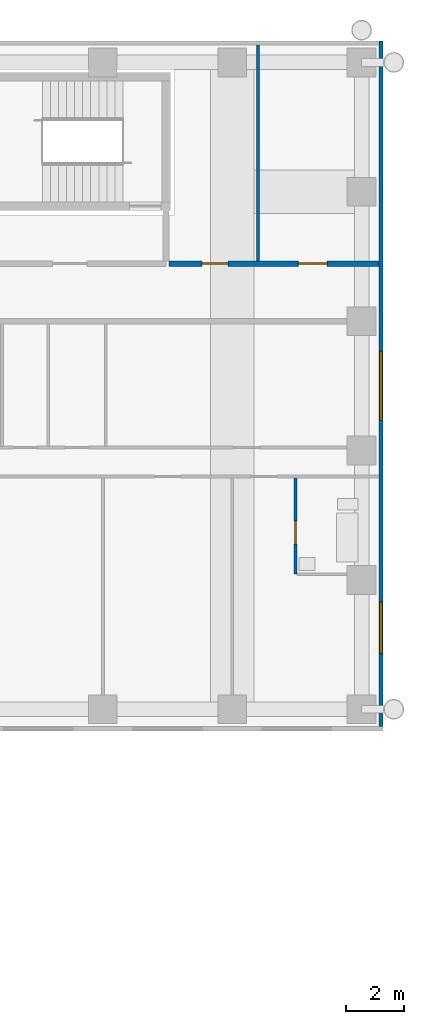
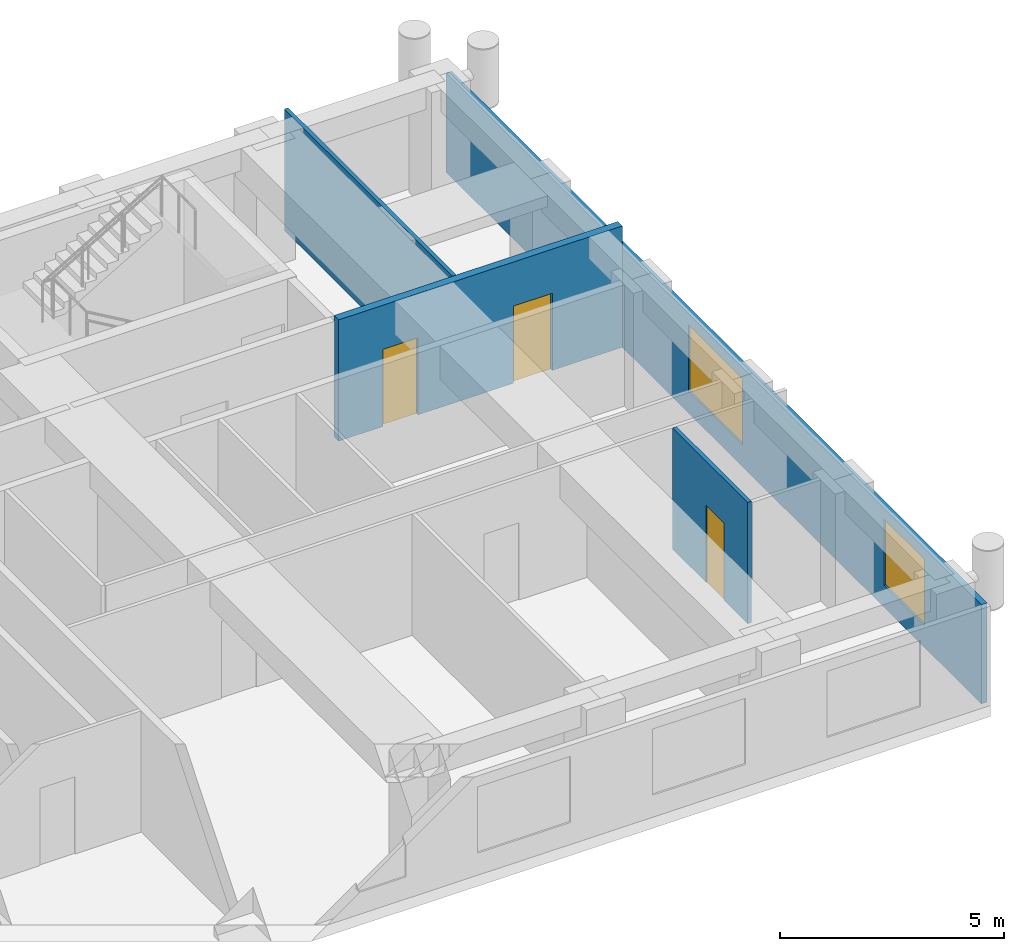
# One storey, part 12 of 15: 4 walls, 3 doors, 2 windows, 5 openings.
"""IFC4 building model written with IfcOpenShell, lengths in metres."""

from ifc_helpers import new_model, si_unit, direction, frame, frame_2d, origin, place, context, subcontext, project, spatial, rectangle, extrude, material, layer, layer_set, type_object, element, fill, save


model = new_model("IFC4")

# Units and contexts
model_context = context("Model", 3, precision=1e-05, world=origin(), true_north=direction((0.0, 1.0)))
body_context = subcontext(model_context, "Body", "Model", "MODEL_VIEW")
ifc_project = project(units=[si_unit("LENGTHUNIT", "METRE"), si_unit("AREAUNIT", "SQUARE_METRE"), si_unit("VOLUMEUNIT", "CUBIC_METRE"), si_unit("PLANEANGLEUNIT", "RADIAN"), si_unit("MASSUNIT", "GRAM", prefix="KILO")], contexts=[model_context])

# Site, building, storey
site_placement = place(None, origin())
site = spatial("IfcSite", under=ifc_project, at=site_placement, CompositionType="ELEMENT")
building_placement = place(site_placement, origin())
building = spatial("IfcBuilding", under=site, at=building_placement, Name="Firuza Court", CompositionType="ELEMENT")
storey_placement = place(building_placement, frame((0.0, 0.0, 137.60009765625)))
storey = spatial("IfcBuildingStorey", under=building, at=storey_placement, Name="L34", CompositionType="ELEMENT", Elevation=137.60009765625)

# Wall, opening, door
ifc_material_1 = material(Name="Moisture-resistant gypsum board partition")
ifc_layer_1 = layer(ifc_material_1, 0.10009765625)
ifc_layer_set_1 = layer_set([ifc_layer_1], Name="Moisture-resistant gypsum board partition")
wall_type_1 = type_object("IfcWallType", Name="Bathroom partition 100", PredefinedType="PLUMBINGWALL", material=ifc_layer_set_1)
wall_1_placement = place(storey_placement, frame((65.199951171875, 40.699951171875, 0.0), z_axis=(0.0, 0.0, 1.0), x_axis=(0.0, 1.0, 0.0)))
wall_1 = element("IfcWall", 1, at=wall_1_placement, inside=storey, type_object=wall_type_1, Name="Bathroom partition 100 L34", PredefinedType="PLUMBINGWALL", context=body_context, shape_type="SweptSolid", body=[
    extrude(rectangle(XDim=3.35009765625, YDim=0.10009765625, at=frame_2d((1.675048828125, 0.0))), origin(), (0.0, 0.0, 1.0), 3.2998046875),
])
opening_1_placement = place(wall_1_placement, frame((1.050048828125, 0.0, 0.0)))
opening_1 = element("IfcOpeningElement", 2, at=opening_1_placement, cuts=wall_1, Name="Opening D34045", PredefinedType="OPENING", context=body_context, shape_type="SweptSolid", body=[
    extrude(rectangle(XDim=0.800048828125, YDim=2.10009765625, at=frame_2d((0.39990234375, 1.050048828125))), frame((0.0, 0.06201171875, 0.0), z_axis=(0.0, -1.0, 0.0), x_axis=(1.0, 0.0, 0.0)), (0.0, 0.0, 1.0), 0.1240234375),
])
ifc_material_2 = material(Name="Timber door leaf in hardwood frame", Category="wood")
door_type_1 = type_object("IfcDoorType", Name="Bathroom door 800", OperationType="SINGLE_SWING_LEFT", PredefinedType="DOOR", material=ifc_material_2)
door_1_placement = place(opening_1_placement, frame((0.800048828125, 0.0, 0.0), z_axis=(0.0, 0.0, 1.0), x_axis=(-1.0, 0.0, 0.0)))
door_1 = element("IfcDoor", 3, at=door_1_placement, inside=storey, type_object=door_type_1, Name="En-suite door", OperationType="SINGLE_SWING_RIGHT", OverallHeight=2.10009765625, OverallWidth=0.800048828125, PredefinedType="DOOR", context=body_context, shape_type="SweptSolid", body=[
    extrude(rectangle(XDim=0.800048828125, YDim=2.10009765625, at=frame_2d((0.39990234375, 1.050048828125))), frame((0.0, 0.02490234375, 0.0), z_axis=(0.0, -1.0, 0.0), x_axis=(1.0, 0.0, 0.0)), (0.0, 0.0, 1.0), 0.050048828125),
])
fill(opening_1, door_1)

# Wall, openings, doors
ifc_material_3 = material(Name="Blockwork, plastered both sides", Category="masonry")
ifc_layer_2 = layer(ifc_material_3, 0.199951171875)
ifc_layer_set_2 = layer_set([ifc_layer_2], Name="Blockwork, plastered both sides")
wall_type_2 = type_object("IfcWallType", Name="Corridor wall 200", PredefinedType="PARTITIONING", material=ifc_layer_set_2)
wall_2_placement = place(storey_placement, frame((60.800048828125, 51.5, 0.0), z_axis=(0.0, 0.0, 1.0), x_axis=(1.0, 0.0, 0.0)))
wall_2 = element("IfcWall", 4, at=wall_2_placement, inside=storey, type_object=wall_type_2, Name="Corridor wall 200 L34", PredefinedType="PARTITIONING", context=body_context, shape_type="SweptSolid", body=[
    extrude(rectangle(XDim=7.300048828125, YDim=0.199951171875, at=frame_2d((3.64990234375, 0.0))), origin(), (0.0, 0.0, 1.0), 3.2998046875),
])
opening_2_placement = place(wall_2_placement, frame((1.14990234375, 0.0, 0.0)))
opening_2 = element("IfcOpeningElement", 5, at=opening_2_placement, cuts=wall_2, Name="Opening D34070", PredefinedType="OPENING", context=body_context, shape_type="SweptSolid", body=[
    extrude(rectangle(XDim=0.89990234375, YDim=2.10009765625, at=frame_2d((0.449951171875, 1.050048828125))), frame((0.0, 0.11181640625, 0.0), z_axis=(0.0, -1.0, 0.0), x_axis=(1.0, 0.0, 0.0)), (0.0, 0.0, 1.0), 0.223876953125),
])
opening_3_placement = place(wall_2_placement, frame((4.5, 0.0, 0.0)))
opening_3 = element("IfcOpeningElement", 6, at=opening_3_placement, cuts=wall_2, Name="Opening D34071", PredefinedType="OPENING", context=body_context, shape_type="SweptSolid", body=[
    extrude(rectangle(XDim=1.0, YDim=2.10009765625, at=frame_2d((0.5, 1.050048828125))), frame((0.0, 0.11181640625, 0.0), z_axis=(0.0, -1.0, 0.0), x_axis=(1.0, 0.0, 0.0)), (0.0, 0.0, 1.0), 0.223876953125),
])
ifc_material_4 = material(Name="Timber door leaf in hardwood frame", Category="wood")
door_type_2 = type_object("IfcDoorType", Name="Room door 900 EI 30", OperationType="SINGLE_SWING_LEFT", PredefinedType="DOOR", material=ifc_material_4)
door_2_placement = place(opening_2_placement, origin())
door_2 = element("IfcDoor", 7, at=door_2_placement, inside=storey, type_object=door_type_2, Name="Staff pantry door", OperationType="SINGLE_SWING_LEFT", OverallHeight=2.10009765625, OverallWidth=0.89990234375, PredefinedType="DOOR", context=body_context, shape_type="SweptSolid", body=[
    extrude(rectangle(XDim=0.89990234375, YDim=2.10009765625, at=frame_2d((0.449951171875, 1.050048828125))), frame((0.0, 0.02490234375, 0.0), z_axis=(0.0, -1.0, 0.0), x_axis=(1.0, 0.0, 0.0)), (0.0, 0.0, 1.0), 0.050048828125),
])
fill(opening_2, door_2)
ifc_material_5 = material(Name="Timber door leaf in hardwood frame", Category="wood")
door_type_3 = type_object("IfcDoorType", Name="Store door 1000", OperationType="SINGLE_SWING_LEFT", PredefinedType="DOOR", material=ifc_material_5)
door_3_placement = place(opening_3_placement, origin())
door_3 = element("IfcDoor", 8, at=door_3_placement, inside=storey, type_object=door_type_3, Name="Parcel room door", OperationType="SINGLE_SWING_LEFT", OverallHeight=2.10009765625, OverallWidth=1.0, PredefinedType="DOOR", context=body_context, shape_type="SweptSolid", body=[
    extrude(rectangle(XDim=1.0, YDim=2.10009765625, at=frame_2d((0.5, 1.050048828125))), frame((0.0, 0.02490234375, 0.0), z_axis=(0.0, -1.0, 0.0), x_axis=(1.0, 0.0, 0.0)), (0.0, 0.0, 1.0), 0.050048828125),
])
fill(opening_3, door_3)

# Wall
ifc_material_6 = material(Name="Timber stud partition, plasterboard both sides", Category="wood")
ifc_layer_3 = layer(ifc_material_6, 0.10009765625)
ifc_layer_set_3 = layer_set([ifc_layer_3], Name="Timber stud partition, plasterboard both sides")
wall_type_3 = type_object("IfcWallType", Name="Partition wall 100", PredefinedType="PARTITIONING", material=ifc_layer_set_3)
wall_3_placement = place(storey_placement, frame((63.89990234375, 51.60009765625, 0.0), z_axis=(0.0, 0.0, 1.0), x_axis=(0.0, 1.0, 0.0)))
element("IfcWall", 9, at=wall_3_placement, inside=storey, type_object=wall_type_3, Name="Partition wall 100 L34", PredefinedType="PARTITIONING", context=body_context, shape_type="SweptSolid", body=[
    extrude(rectangle(XDim=7.5, YDim=0.10009765625, at=frame_2d((3.75, 0.0))), origin(), (0.0, 0.0, 1.0), 3.2998046875),
])

# Wall, openings, windows
ifc_material_7 = material(Name="Ceramic tile", Category="ceramic")
ifc_layer_4 = layer(ifc_material_7, 0.02001953125)
ifc_material_8 = material(Name="Mineral wool insulation", Category="insulation")
ifc_layer_5 = layer(ifc_material_8, 0.050048828125)
ifc_material_9 = material(Name="Concrete C40/50 precast", Category="concrete")
ifc_layer_6 = layer(ifc_material_9, 0.080078125)
ifc_layer_set_4 = layer_set([ifc_layer_4, ifc_layer_5, ifc_layer_6], Name="Concrete C40/50 precast")
wall_type_4 = type_object("IfcWallType", Name="Precast cladding wall with turquoise TILE PANEL face 150", PredefinedType="STANDARD", material=ifc_layer_set_4)
wall_4_placement = place(storey_placement, frame((68.175048828125, 35.39990234375, 0.0), z_axis=(0.0, 0.0, 1.0), x_axis=(0.0, 1.0, 0.0)))
wall_4 = element("IfcWall", 10, at=wall_4_placement, inside=storey, type_object=wall_type_4, Name="Facade wall L34 E", PredefinedType="STANDARD", context=body_context, shape_type="SweptSolid", body=[
    extrude(rectangle(XDim=23.85009765625, YDim=0.14990234375, at=frame_2d((11.925048828125, 0.0))), origin(), (0.0, 0.0, 1.0), 2.699951171875),
])
opening_4_placement = place(wall_4_placement, frame((2.540283203125, 0.0, 0.60009765625)))
opening_4 = element("IfcOpeningElement", 11, at=opening_4_placement, cuts=wall_4, Name="Opening W7", PredefinedType="OPENING", context=body_context, shape_type="SweptSolid", body=[
    extrude(rectangle(XDim=1.800048828125, YDim=1.800048828125, at=frame_2d((0.89990234375, 0.89990234375))), frame((0.0, 0.0869140625, 0.0), z_axis=(0.0, -1.0, 0.0), x_axis=(1.0, 0.0, 0.0)), (0.0, 0.0, 1.0), 0.173828125),
])
opening_5_placement = place(wall_4_placement, frame((10.64990234375, 0.0, 0.60009765625)))
opening_5 = element("IfcOpeningElement", 12, at=opening_5_placement, cuts=wall_4, Name="Opening W1", PredefinedType="OPENING", context=body_context, shape_type="SweptSolid", body=[
    extrude(rectangle(XDim=2.39990234375, YDim=1.800048828125, at=frame_2d((1.199951171875, 0.89990234375))), frame((0.0, 0.0869140625, 0.0), z_axis=(0.0, -1.0, 0.0), x_axis=(1.0, 0.0, 0.0)), (0.0, 0.0, 1.0), 0.173828125),
])
ifc_material_10 = material(Name="Aluminium frame, triple clear glazing", Category="aluminium")
window_type_1 = type_object("IfcWindowType", Name="Window W1 2400 x 1800", PartitioningType="SINGLE_PANEL", PredefinedType="WINDOW", material=ifc_material_10)
window_1_placement = place(opening_5_placement, origin())
window_1 = element("IfcWindow", 13, at=window_1_placement, inside=storey, type_object=window_type_1, Name="Window L34", OverallHeight=1.800048828125, OverallWidth=2.39990234375, PartitioningType="SINGLE_PANEL", PredefinedType="WINDOW", context=body_context, shape_type="SweptSolid", body=[
    extrude(rectangle(XDim=2.39990234375, YDim=1.800048828125, at=frame_2d((1.199951171875, 0.89990234375))), frame((0.0, 0.030029296875, 0.0), z_axis=(0.0, -1.0, 0.0), x_axis=(1.0, 0.0, 0.0)), (0.0, 0.0, 1.0), 0.06005859375),
])
fill(opening_5, window_1)
ifc_material_11 = material(Name="Aluminium frame, triple clear glazing", Category="aluminium")
window_type_2 = type_object("IfcWindowType", Name="Window W7 1800 x 1800", PartitioningType="SINGLE_PANEL", PredefinedType="WINDOW", material=ifc_material_11)
window_2_placement = place(opening_4_placement, origin())
window_2 = element("IfcWindow", 14, at=window_2_placement, inside=storey, type_object=window_type_2, Name="Window L34", OverallHeight=1.800048828125, OverallWidth=1.800048828125, PartitioningType="SINGLE_PANEL", PredefinedType="WINDOW", context=body_context, shape_type="SweptSolid", body=[
    extrude(rectangle(XDim=1.800048828125, YDim=1.800048828125, at=frame_2d((0.89990234375, 0.89990234375))), frame((0.0, 0.030029296875, 0.0), z_axis=(0.0, -1.0, 0.0), x_axis=(1.0, 0.0, 0.0)), (0.0, 0.0, 1.0), 0.06005859375),
])
fill(opening_4, window_2)

save(model, "model.ifc")
